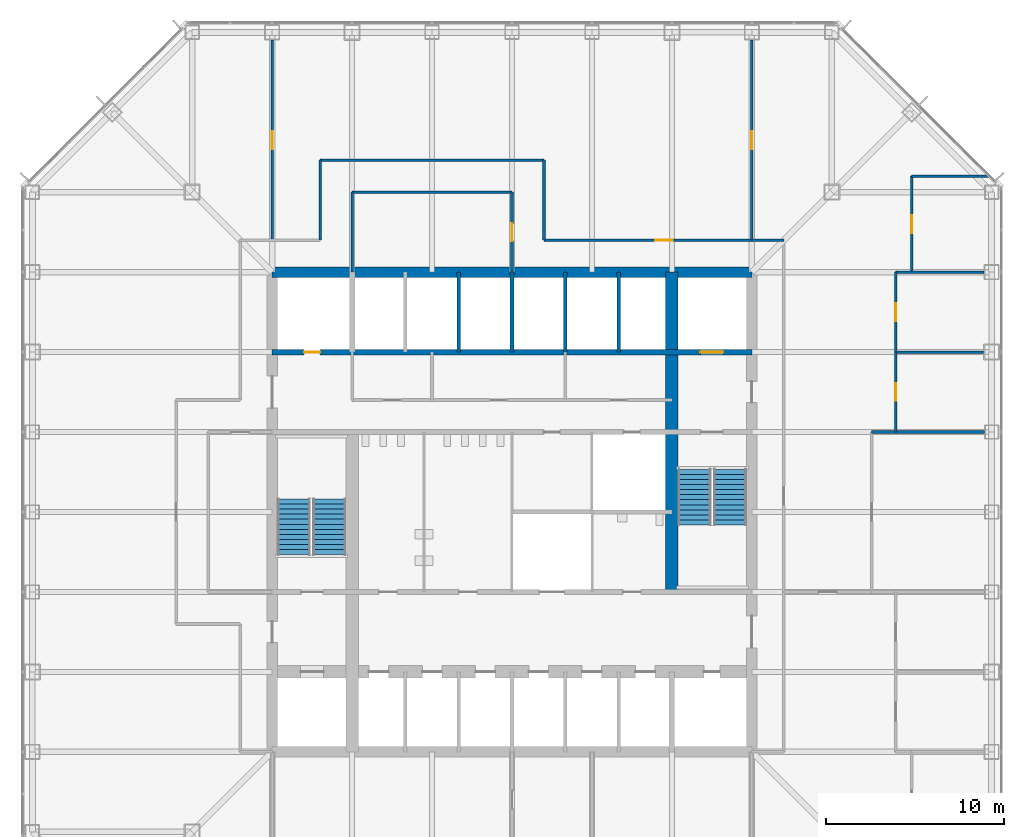
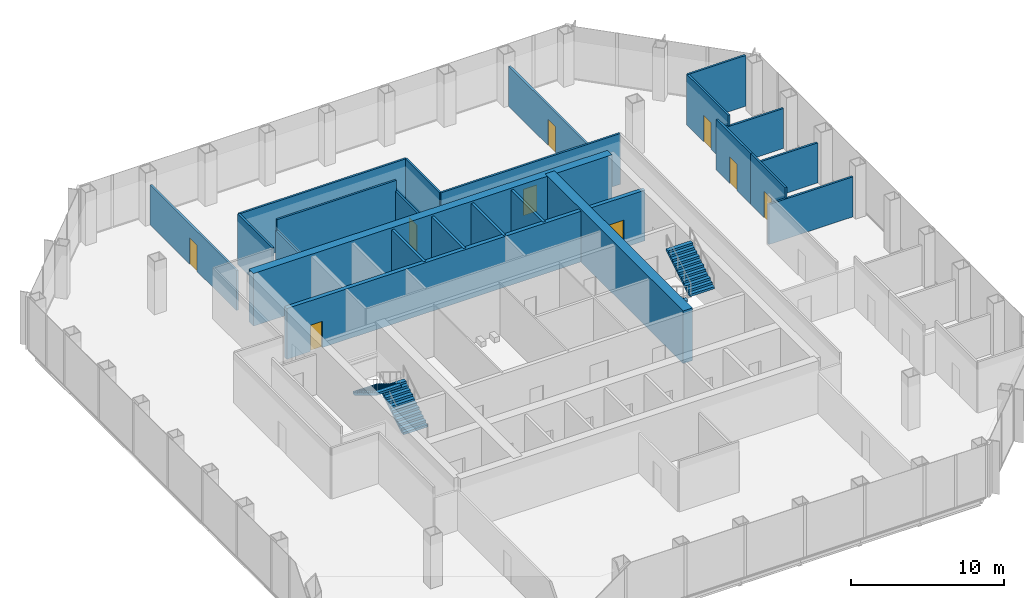
# One storey, part 10 of 12: 23 walls, 9 doors, 4 stair flights, 9 openings, 2 elements without a shape of their own.
"""IFC4 building model written with IfcOpenShell, lengths in metres."""

import ifcopenshell
import ifcopenshell.guid

model = None  # the IFC model being written
_history = None  # IfcOwnerHistory: only IFC2X3 demands one
_inside = {}  # id of a spatial element -> (the spatial element, [elements in it])
_under = {}  # id of a project, library or spatial element -> (it, [spatial elements below it])
_declared = {}  # id of a project -> (the project, [libraries it declares])
_typed = {}  # id of a type object -> (the type object, [elements of that type])
_made_of = {}  # id of a material, layer set ... -> (it, [elements and type objects made of it])


def new_model(schema):
    """Start an empty IFC model of exactly this schema.

    Asked for "IFC4X3", IfcOpenShell would pick the latest addendum, in which some entities
    have other attributes; the version numbers below select the first issue.
    IFC2X3 requires an IfcOwnerHistory on every rooted entity: one is made here for all.
    """
    global model, _history
    if schema == "IFC4X3":
        model = ifcopenshell.file(schema_version=(4, 3, 0, 0))
    else:
        model = ifcopenshell.file(schema=schema)
    _inside.clear()
    _under.clear()
    _declared.clear()
    _typed.clear()
    _made_of.clear()
    _history = None
    if model.schema == "IFC2X3":
        org = make("IfcOrganization", Name="unknown")
        user = make(
            "IfcPersonAndOrganization",
            ThePerson=make("IfcPerson", FamilyName="unknown"),
            TheOrganization=org,
        )
        app = make(
            "IfcApplication",
            ApplicationDeveloper=org,
            Version="unknown",
            ApplicationFullName="unknown",
            ApplicationIdentifier="unknown",
        )
        _history = make(
            "IfcOwnerHistory",
            OwningUser=user,
            OwningApplication=app,
            ChangeAction="ADDED",
            CreationDate=0,
        )
    return model


def make(cls, **values):
    """One entity of the class cls with the attributes given. An attribute that is None is left unset."""
    return model.create_entity(
        cls, **{name: value for name, value in values.items() if value is not None}
    )


def rooted(cls, **values):
    """An entity with a GlobalId (a new one), such as an element, a storey or a relation."""
    return make(cls, GlobalId=ifcopenshell.guid.new(), OwnerHistory=_history, **values)


def si_unit(unit_type, name, prefix=None):
    """IfcSIUnit, for example si_unit("LENGTHUNIT", "METRE", prefix="MILLI")."""
    return make("IfcSIUnit", UnitType=unit_type, Prefix=prefix, Name=name)


def assignment(units):
    """IfcUnitAssignment: the units of a project."""
    return None if units is None else make("IfcUnitAssignment", Units=units)


def point(xyz):
    """IfcCartesianPoint."""
    return None if xyz is None else make("IfcCartesianPoint", Coordinates=xyz)


def direction(xyz):
    """IfcDirection."""
    return None if xyz is None else make("IfcDirection", DirectionRatios=xyz)


def frame(location, z_axis=None, x_axis=None):
    """IfcAxis2Placement3D, a coordinate frame: its origin and axes. An axis left out is left unset."""
    return make(
        "IfcAxis2Placement3D",
        Location=point(location),
        Axis=direction(z_axis),
        RefDirection=direction(x_axis),
    )


def frame_2d(location, x_axis=None):
    """IfcAxis2Placement2D, a coordinate frame in the plane: its origin and x axis."""
    return make(
        "IfcAxis2Placement2D", Location=point(location), RefDirection=direction(x_axis)
    )


def origin():
    """The frame at (0, 0, 0) with its axes left unset."""
    return frame((0.0, 0.0, 0.0))


def place(relative_to, where):
    """IfcLocalPlacement: puts the frame where relative to a parent placement (None: the world)."""
    return make(
        "IfcLocalPlacement", PlacementRelTo=relative_to, RelativePlacement=where
    )


def context(
    kind, dimensions, precision=None, world=None, true_north=None, identifier=None
):
    """IfcGeometricRepresentationContext, for example the 3D "Model" context."""
    return make(
        "IfcGeometricRepresentationContext",
        ContextIdentifier=identifier,
        ContextType=kind,
        CoordinateSpaceDimension=dimensions,
        Precision=precision,
        WorldCoordinateSystem=world,
        TrueNorth=true_north,
    )


def subcontext(parent, identifier, kind, view, scale=None):
    """IfcGeometricRepresentationSubContext, for example "Body" below "Model"."""
    return make(
        "IfcGeometricRepresentationSubContext",
        ContextIdentifier=identifier,
        ContextType=kind,
        ParentContext=parent,
        TargetScale=scale,
        TargetView=view,
    )


def project(units=None, contexts=None):
    """IfcProject with its units and contexts."""
    return rooted(
        "IfcProject",
        Name="project",
        RepresentationContexts=contexts,
        UnitsInContext=assignment(units),
    )


def spatial(cls, under=None, at=None, **own):
    """A site, building, storey or space (cls), placed at a placement, below another one or the project."""
    s = rooted(cls, ObjectPlacement=at, **own)
    if under is not None:
        _under.setdefault(under.id(), (under, []))[1].append(s)
    return s


def polyline(points):
    """IfcPolyline through the points."""
    return make("IfcPolyline", Points=[point(p) for p in points])


def profile(cls, at=None, kind="AREA", **sizes):
    """A parametric profile (cls). Its sizes go by their IFC names, for example OverallWidth=200.0."""
    return make(cls, ProfileType=kind, Position=at, **sizes)


def rectangle(**sizes):
    """IfcRectangleProfileDef."""
    return profile("IfcRectangleProfileDef", **sizes)


def outline(outer, holes=None, kind="AREA"):
    """IfcArbitraryClosedProfileDef: a profile drawn as a closed curve; with holes, ...WithVoids."""
    if holes is None:
        return make("IfcArbitraryClosedProfileDef", ProfileType=kind, OuterCurve=outer)
    return make(
        "IfcArbitraryProfileDefWithVoids",
        ProfileType=kind,
        OuterCurve=outer,
        InnerCurves=holes,
    )


def extrude(swept, where, along, depth):
    """IfcExtrudedAreaSolid: the profile swept, set in the frame where, extruded along a direction by depth."""
    return make(
        "IfcExtrudedAreaSolid",
        SweptArea=swept,
        Position=where,
        ExtrudedDirection=direction(along),
        Depth=depth,
    )


def shape(context_of_items, identifier, shape_type, items):
    """IfcShapeRepresentation: the items that make up one representation, for example the "Body"."""
    return make(
        "IfcShapeRepresentation",
        ContextOfItems=context_of_items,
        RepresentationIdentifier=identifier,
        RepresentationType=shape_type,
        Items=items,
    )


def material(Name=None, Category=None):
    """IfcMaterial."""
    return make("IfcMaterial", Name=Name, Category=Category)


def layer(
    of_material, thickness, ventilated=None, Name=None, Category=None, Priority=None
):
    """IfcMaterialLayer: one layer of a wall or slab, of a material (None: an air gap)."""
    return make(
        "IfcMaterialLayer",
        Material=of_material,
        LayerThickness=thickness,
        IsVentilated=ventilated,
        Name=Name,
        Category=Category,
        Priority=Priority,
    )


def layer_set(layers, Name=None):
    """IfcMaterialLayerSet."""
    return make("IfcMaterialLayerSet", MaterialLayers=layers, LayerSetName=Name)


def made_of(thing, what):
    """Note that an element or type object is made of a material, layer set ...; save() writes the relation."""
    if what is not None:
        _made_of.setdefault(what.id(), (what, []))[1].append(thing)
    return thing


def type_object(cls, material=None, **own):
    """A type object (cls), such as IfcWallType, which elements share."""
    return made_of(rooted(cls, **own), material)


def element(
    cls,
    number,
    at=None,
    inside=None,
    cuts=None,
    type_object=None,
    material=None,
    context=None,
    identifier="Body",
    shape_type=None,
    held_by="IfcProductDefinitionShape",
    body=None,
    shapes=None,
    **own,
):
    """One element of the class cls, such as IfcWall. Its Tag is "e" and its number.

    at: its placement. inside: the storey or other place that contains it. cuts: it is an
    opening in that element (IfcRelVoidsElement). A single representation is given by context,
    identifier, shape_type and body (its items); several are given by shapes. held_by: the class
    of the entity that holds the representations. save() writes the other relations.
    """
    e = rooted(cls, Tag="e%d" % number, ObjectPlacement=at, **own)
    if body is not None:
        shapes = [shape(context, identifier, shape_type, body)]
    if shapes is not None:
        e.Representation = make(held_by, Representations=shapes)
    if inside is not None:
        _inside.setdefault(inside.id(), (inside, []))[1].append(e)
    if cuts is not None:
        rooted(
            "IfcRelVoidsElement", RelatingBuildingElement=cuts, RelatedOpeningElement=e
        )
    if type_object is not None:
        _typed.setdefault(type_object.id(), (type_object, []))[1].append(e)
    return made_of(e, material)


def fill(opening, filler):
    """IfcRelFillsElement: the door or window that sits in an opening."""
    return rooted(
        "IfcRelFillsElement",
        RelatingOpeningElement=opening,
        RelatedBuildingElement=filler,
    )


def aggregate(whole, parts):
    """IfcRelAggregates: a whole, such as a stair, and the parts it consists of."""
    return rooted("IfcRelAggregates", RelatingObject=whole, RelatedObjects=parts)


def save(model, path):
    """Write the relations noted so far, then the file.

    IfcRelAggregates (storeys below a building ...), IfcRelContainedInSpatialStructure (elements
    in a storey), IfcRelDefinesByType, IfcRelAssociatesMaterial and IfcRelDeclares: one each for
    every whole, place, type object, material and project.
    """
    for whole, parts in _under.values():
        aggregate(whole, parts)
    for where, things in _inside.values():
        rooted(
            "IfcRelContainedInSpatialStructure",
            RelatedElements=things,
            RelatingStructure=where,
        )
    for kind, things in _typed.values():
        rooted("IfcRelDefinesByType", RelatedObjects=things, RelatingType=kind)
    for what, things in _made_of.values():
        rooted("IfcRelAssociatesMaterial", RelatedObjects=things, RelatingMaterial=what)
    for by, libraries in _declared.values():
        rooted("IfcRelDeclares", RelatingContext=by, RelatedDefinitions=libraries)
    model.write(path)


model = new_model("IFC4")

# Units and contexts
model_context = context("Model", 3, precision=1e-05, world=origin(), true_north=direction((0.0, 1.0)))
body_context = subcontext(model_context, "Body", "Model", "MODEL_VIEW")
ifc_project = project(units=[si_unit("LENGTHUNIT", "METRE"), si_unit("AREAUNIT", "SQUARE_METRE"), si_unit("VOLUMEUNIT", "CUBIC_METRE"), si_unit("PLANEANGLEUNIT", "RADIAN"), si_unit("MASSUNIT", "GRAM", prefix="KILO")], contexts=[model_context])

# Site, building, storey
site_placement = place(None, origin())
site = spatial("IfcSite", under=ifc_project, at=site_placement, CompositionType="ELEMENT")
building_placement = place(site_placement, origin())
building = spatial("IfcBuilding", under=site, at=building_placement, Name="Corais Broadcast Tower", CompositionType="ELEMENT")
storey_placement = place(building_placement, frame((0.0, 0.0, 71.0)))
storey = spatial("IfcBuildingStorey", under=building, at=storey_placement, Name="L15", CompositionType="ELEMENT", Elevation=71.0)

# Walls
ifc_material_1 = material(Name="Concrete C50/60", Category="concrete")
ifc_layer_1 = layer(ifc_material_1, 0.699951171875)
ifc_layer_set_1 = layer_set([ifc_layer_1], Name="Concrete C50/60")
wall_type_1 = type_object("IfcWallType", Name="Core spine wall 700", PredefinedType="SHEAR", material=ifc_layer_set_1)
wall_1_placement = place(storey_placement, frame((36.0, 22.5, 0.0), z_axis=(0.0, 0.0, 1.0), x_axis=(0.0, 1.0, 0.0)))
element("IfcWall", 1, at=wall_1_placement, inside=storey, type_object=wall_type_1, Name="CR700 core wall X36B L15", PredefinedType="SHEAR", context=body_context, shape_type="SweptSolid", body=[
    extrude(rectangle(XDim=18.0, YDim=0.699951171875, at=frame_2d((9.0, 0.0))), origin(), (0.0, 0.0, 1.0), 4.199951171875),
])
ifc_material_2 = material(Name="Concrete C50/60", Category="concrete")
ifc_layer_2 = layer(ifc_material_2, 0.60009765625)
ifc_layer_set_2 = layer_set([ifc_layer_2], Name="Concrete C50/60")
wall_type_2 = type_object("IfcWallType", Name="Core wall 600", PredefinedType="SHEAR", material=ifc_layer_set_2)
wall_2_placement = place(storey_placement, frame((40.5, 40.5, 0.0), z_axis=(0.0, 0.0, 1.0), x_axis=(-1.0, 0.0, 0.0)))
element("IfcWall", 2, at=wall_2_placement, inside=storey, type_object=wall_type_2, Name="CR600 core wall N L15", PredefinedType="SHEAR", context=body_context, shape_type="SweptSolid", body=[
    extrude(rectangle(XDim=27.0, YDim=0.60009765625, at=frame_2d((13.5, 0.0))), origin(), (0.0, 0.0, 1.0), 4.199951171875),
])

# Wall, openings, doors
ifc_material_3 = material(Name="Concrete blockwork class A, grouted, four-hour", Category="masonry")
ifc_layer_3 = layer(ifc_material_3, 0.300048828125)
ifc_layer_set_3 = layer_set([ifc_layer_3], Name="Concrete blockwork class A, grouted, four-hour")
wall_type_3 = type_object("IfcWallType", Name="Emergency lift shaft wall 300", PredefinedType="SOLIDWALL", material=ifc_layer_set_3)
wall_3_placement = place(storey_placement, frame((13.5, 36.0, 0.0), z_axis=(0.0, 0.0, 1.0), x_axis=(1.0, 0.0, 0.0)))
wall_3 = element("IfcWall", 3, at=wall_3_placement, inside=storey, type_object=wall_type_3, Name="LS1 core lobby wall Y36 L15", PredefinedType="SOLIDWALL", context=body_context, shape_type="SweptSolid", body=[
    extrude(rectangle(XDim=27.0, YDim=0.300048828125, at=frame_2d((13.5, 0.0))), origin(), (0.0, 0.0, 1.0), 4.0400390625),
])
opening_1_placement = place(wall_3_placement, frame((1.800048828125, 0.0, 0.0)))
opening_1 = element("IfcOpeningElement", 4, at=opening_1_placement, cuts=wall_3, Name="Opening RD1", PredefinedType="OPENING", context=body_context, shape_type="SweptSolid", body=[
    extrude(rectangle(XDim=0.89990234375, YDim=2.10009765625, at=frame_2d((0.449951171875, 1.050048828125))), frame((0.0, 0.159912109375, 0.0), z_axis=(0.0, -1.0, 0.0), x_axis=(1.0, 0.0, 0.0)), (0.0, 0.0, 1.0), 0.320068359375),
])
opening_2_placement = place(wall_3_placement, frame((24.10009765625, 0.0, 0.0)))
opening_2 = element("IfcOpeningElement", 5, at=opening_2_placement, cuts=wall_3, Name="Opening LD2", PredefinedType="OPENING", context=body_context, shape_type="SweptSolid", body=[
    extrude(rectangle(XDim=1.300048828125, YDim=2.199951171875, at=frame_2d((0.64990234375, 1.10009765625))), frame((0.0, 0.159912109375, 0.0), z_axis=(0.0, -1.0, 0.0), x_axis=(1.0, 0.0, 0.0)), (0.0, 0.0, 1.0), 0.320068359375),
])
ifc_material_4 = material(Name="Stainless steel lift door", Category="steel")
door_type_1 = type_object("IfcDoorType", Name="Lift landing door 1300x2200", OperationType="SLIDING_TO_LEFT", PredefinedType="DOOR", material=ifc_material_4)
door_1_placement = place(opening_2_placement, origin())
door_1 = element("IfcDoor", 6, at=door_1_placement, inside=storey, type_object=door_type_1, Name="LD2 FL2 landing door L15", OperationType="SLIDING_TO_LEFT", OverallHeight=2.199951171875, OverallWidth=1.300048828125, PredefinedType="DOOR", context=body_context, shape_type="SweptSolid", body=[
    extrude(rectangle(XDim=1.300048828125, YDim=2.199951171875, at=frame_2d((0.64990234375, 1.10009765625))), frame((0.0, 0.02490234375, 0.0), z_axis=(0.0, -1.0, 0.0), x_axis=(1.0, 0.0, 0.0)), (0.0, 0.0, 1.0), 0.050048828125),
])
fill(opening_2, door_1)
ifc_material_5 = material(Name="Steel fire door", Category="steel")
door_type_2 = type_object("IfcDoorType", Name="Riser door 900x2100", OperationType="SINGLE_SWING_LEFT", PredefinedType="DOOR", material=ifc_material_5)
door_2_placement = place(opening_1_placement, origin())
door_2 = element("IfcDoor", 7, at=door_2_placement, inside=storey, type_object=door_type_2, Name="RD1 riser door L15", OperationType="SINGLE_SWING_LEFT", OverallHeight=2.10009765625, OverallWidth=0.89990234375, PredefinedType="DOOR", context=body_context, shape_type="SweptSolid", body=[
    extrude(rectangle(XDim=0.89990234375, YDim=2.10009765625, at=frame_2d((0.449951171875, 1.050048828125))), frame((0.0, 0.02490234375, 0.0), z_axis=(0.0, -1.0, 0.0), x_axis=(1.0, 0.0, 0.0)), (0.0, 0.0, 1.0), 0.050048828125),
])
fill(opening_1, door_2)

# Wall, opening, door
ifc_material_6 = material(Name="Gypsum board on steel studs", Category="steel")
ifc_layer_4 = layer(ifc_material_6, 0.14990234375)
ifc_layer_set_4 = layer_set([ifc_layer_4], Name="Gypsum board on steel studs")
wall_type_4 = type_object("IfcWallType", Name="Partition 150", PredefinedType="PARTITIONING", material=ifc_layer_set_4)
wall_4_placement = place(storey_placement, frame((42.300048828125, 42.300048828125, 0.0), z_axis=(0.0, 0.0, 1.0), x_axis=(-1.0, 0.0, 0.0)))
wall_4 = element("IfcWall", 8, at=wall_4_placement, inside=storey, type_object=wall_type_4, Name="IW3 corridor wall L15", PredefinedType="PARTITIONING", context=body_context, shape_type="SweptSolid", body=[
    extrude(rectangle(XDim=13.5, YDim=0.14990234375, at=frame_2d((6.75, 0.0))), origin(), (0.0, 0.0, 1.0), 4.0400390625),
])
opening_3_placement = place(wall_4_placement, frame((6.25, 0.0, 0.0)))
opening_3 = element("IfcOpeningElement", 9, at=opening_3_placement, cuts=wall_4, Name="Opening D1", PredefinedType="OPENING", context=body_context, shape_type="SweptSolid", body=[
    extrude(rectangle(XDim=1.0, YDim=2.10009765625, at=frame_2d((0.5, 1.050048828125))), frame((0.0, 0.0849609375, 0.0), z_axis=(0.0, -1.0, 0.0), x_axis=(1.0, 0.0, 0.0)), (0.0, 0.0, 1.0), 0.169921875),
])
ifc_material_7 = material(Name="Timber door", Category="wood")
door_type_3 = type_object("IfcDoorType", Name="Single door 1000x2100", OperationType="SINGLE_SWING_LEFT", PredefinedType="DOOR", material=ifc_material_7)
door_3_placement = place(opening_3_placement, origin())
door_3 = element("IfcDoor", 10, at=door_3_placement, inside=storey, type_object=door_type_3, Name="D1 workplace door L15", OperationType="SINGLE_SWING_LEFT", OverallHeight=2.10009765625, OverallWidth=1.0, PredefinedType="DOOR", context=body_context, shape_type="SweptSolid", body=[
    extrude(rectangle(XDim=1.0, YDim=2.10009765625, at=frame_2d((0.5, 1.050048828125))), frame((0.0, 0.02490234375, 0.0), z_axis=(0.0, -1.0, 0.0), x_axis=(1.0, 0.0, 0.0)), (0.0, 0.0, 1.0), 0.050048828125),
])
fill(opening_3, door_3)

# Walls
wall_5_placement = place(storey_placement, frame((28.800048828125, 46.800048828125, 0.0), z_axis=(0.0, 0.0, 1.0), x_axis=(-1.0, 0.0, 0.0)))
element("IfcWall", 11, at=wall_5_placement, inside=storey, type_object=wall_type_4, Name="IW3 corridor wall L15", PredefinedType="PARTITIONING", context=body_context, shape_type="SweptSolid", body=[
    extrude(rectangle(XDim=12.60009765625, YDim=0.14990234375, at=frame_2d((6.300048828125, 0.0))), origin(), (0.0, 0.0, 1.0), 4.0400390625),
])
for number, where, z_axis, x_axis, name in (
    (12, (16.199951171875, 46.800048828125, 0.0), (0.0, 0.0, 1.0), (0.0, -1.0, 0.0), "IW3 corridor wall L15"),
    (13, (28.800048828125, 42.300048828125, 0.0), (0.0, 0.0, 1.0), (0.0, 1.0, 0.0), "IW3 corridor wall L15"),
):
    element("IfcWall", number, at=place(storey_placement, frame(where, z_axis=z_axis, x_axis=x_axis)), inside=storey, type_object=wall_type_4, Name=name, PredefinedType="PARTITIONING", context=body_context, shape_type="SweptSolid", body=[
        extrude(rectangle(XDim=4.5, YDim=0.14990234375, at=frame_2d((2.25, 0.0))), origin(), (0.0, 0.0, 1.0), 4.0400390625),
    ])
wall_6_placement = place(storey_placement, frame((53.590087890625, 31.5, 0.0), z_axis=(0.0, 0.0, 1.0), x_axis=(-1.0, 0.0, 0.0)))
element("IfcWall", 14, at=wall_6_placement, inside=storey, type_object=wall_type_4, Name="IW3 partition L15", PredefinedType="PARTITIONING", context=body_context, shape_type="SweptSolid", body=[
    extrude(rectangle(XDim=6.340087890625, YDim=0.14990234375, at=frame_2d((3.169921875, 0.0))), origin(), (0.0, 0.0, 1.0), 3.18896484375),
])
wall_7_placement = place(storey_placement, frame((53.5400390625, 36.0, 0.0), z_axis=(0.0, 0.0, 1.0), x_axis=(-1.0, 0.0, 0.0)))
element("IfcWall", 15, at=wall_7_placement, inside=storey, type_object=wall_type_4, Name="IW3 partition L15", PredefinedType="PARTITIONING", context=body_context, shape_type="SweptSolid", body=[
    extrude(rectangle(XDim=4.93994140625, YDim=0.14990234375, at=frame_2d((2.469970703125, 0.0))), origin(), (0.0, 0.0, 1.0), 3.18896484375),
])

# Wall, opening, door
wall_8_placement = place(storey_placement, frame((48.60009765625, 36.0, 0.0), z_axis=(0.0, 0.0, 1.0), x_axis=(0.0, -1.0, 0.0)))
wall_8 = element("IfcWall", 16, at=wall_8_placement, inside=storey, type_object=wall_type_4, Name="IW3 partition L15", PredefinedType="PARTITIONING", context=body_context, shape_type="SweptSolid", body=[
    extrude(rectangle(XDim=4.5, YDim=0.14990234375, at=frame_2d((2.25, 0.0))), origin(), (0.0, 0.0, 1.0), 4.0400390625),
])
opening_4_placement = place(wall_8_placement, frame((1.75, 0.0, 0.0)))
opening_4 = element("IfcOpeningElement", 17, at=opening_4_placement, cuts=wall_8, Name="Opening D1", PredefinedType="OPENING", context=body_context, shape_type="SweptSolid", body=[
    extrude(rectangle(XDim=1.0, YDim=2.10009765625, at=frame_2d((0.5, 1.050048828125))), frame((0.0, 0.0849609375, 0.0), z_axis=(0.0, -1.0, 0.0), x_axis=(1.0, 0.0, 0.0)), (0.0, 0.0, 1.0), 0.169921875),
])
door_4_placement = place(opening_4_placement, origin())
door_4 = element("IfcDoor", 18, at=door_4_placement, inside=storey, type_object=door_type_3, Name="D1 Sales office door", OperationType="SINGLE_SWING_LEFT", OverallHeight=2.10009765625, OverallWidth=1.0, PredefinedType="DOOR", context=body_context, shape_type="SweptSolid", body=[
    extrude(rectangle(XDim=1.0, YDim=2.10009765625, at=frame_2d((0.5, 1.050048828125))), frame((0.0, 0.02490234375, 0.0), z_axis=(0.0, -1.0, 0.0), x_axis=(1.0, 0.0, 0.0)), (0.0, 0.0, 1.0), 0.050048828125),
])
fill(opening_4, door_4)

# Wall
wall_9_placement = place(storey_placement, frame((53.56494140625, 40.5, 0.0), z_axis=(0.0, 0.0, 1.0), x_axis=(-1.0, 0.0, 0.0)))
element("IfcWall", 19, at=wall_9_placement, inside=storey, type_object=wall_type_4, Name="IW3 partition L15", PredefinedType="PARTITIONING", context=body_context, shape_type="SweptSolid", body=[
    extrude(rectangle(XDim=4.96484375, YDim=0.14990234375, at=frame_2d((2.482421875, 0.0))), origin(), (0.0, 0.0, 1.0), 3.18896484375),
])

# Wall, opening, door
wall_10_placement = place(storey_placement, frame((48.60009765625, 40.5, 0.0), z_axis=(0.0, 0.0, 1.0), x_axis=(0.0, -1.0, 0.0)))
wall_10 = element("IfcWall", 20, at=wall_10_placement, inside=storey, type_object=wall_type_4, Name="IW3 partition L15", PredefinedType="PARTITIONING", context=body_context, shape_type="SweptSolid", body=[
    extrude(rectangle(XDim=4.5, YDim=0.14990234375, at=frame_2d((2.25, 0.0))), origin(), (0.0, 0.0, 1.0), 4.0400390625),
])
opening_5_placement = place(wall_10_placement, frame((1.75, 0.0, 0.0)))
opening_5 = element("IfcOpeningElement", 21, at=opening_5_placement, cuts=wall_10, Name="Opening D1", PredefinedType="OPENING", context=body_context, shape_type="SweptSolid", body=[
    extrude(rectangle(XDim=1.0, YDim=2.10009765625, at=frame_2d((0.5, 1.050048828125))), frame((0.0, 0.0849609375, 0.0), z_axis=(0.0, -1.0, 0.0), x_axis=(1.0, 0.0, 0.0)), (0.0, 0.0, 1.0), 0.169921875),
])
door_5_placement = place(opening_5_placement, origin())
door_5 = element("IfcDoor", 22, at=door_5_placement, inside=storey, type_object=door_type_3, Name="D1 Sales office door", OperationType="SINGLE_SWING_LEFT", OverallHeight=2.10009765625, OverallWidth=1.0, PredefinedType="DOOR", context=body_context, shape_type="SweptSolid", body=[
    extrude(rectangle(XDim=1.0, YDim=2.10009765625, at=frame_2d((0.5, 1.050048828125))), frame((0.0, 0.02490234375, 0.0), z_axis=(0.0, -1.0, 0.0), x_axis=(1.0, 0.0, 0.0)), (0.0, 0.0, 1.0), 0.050048828125),
])
fill(opening_5, door_5)

# Wall
wall_11_placement = place(storey_placement, frame((53.83544921875, 45.89990234375, 0.0), z_axis=(0.0, 0.0, 1.0), x_axis=(-1.0, 0.0, 0.0)))
element("IfcWall", 23, at=wall_11_placement, inside=storey, type_object=wall_type_4, Name="IW3 partition L15", PredefinedType="PARTITIONING", context=body_context, shape_type="SweptSolid", body=[
    extrude(rectangle(XDim=4.33544921875, YDim=0.14990234375, at=frame_2d((2.167724609375, 0.0))), origin(), (0.0, 0.0, 1.0), 4.0400390625),
])

# Wall, opening, door
wall_12_placement = place(storey_placement, frame((49.5, 45.89990234375, 0.0), z_axis=(0.0, 0.0, 1.0), x_axis=(0.0, -1.0, 0.0)))
wall_12 = element("IfcWall", 24, at=wall_12_placement, inside=storey, type_object=wall_type_4, Name="IW3 partition L15", PredefinedType="PARTITIONING", context=body_context, shape_type="SweptSolid", body=[
    extrude(rectangle(XDim=5.39990234375, YDim=0.14990234375, at=frame_2d((2.699951171875, 0.0))), origin(), (0.0, 0.0, 1.0), 4.0400390625),
])
opening_6_placement = place(wall_12_placement, frame((2.199951171875, 0.0, 0.0)))
opening_6 = element("IfcOpeningElement", 25, at=opening_6_placement, cuts=wall_12, Name="Opening D1", PredefinedType="OPENING", context=body_context, shape_type="SweptSolid", body=[
    extrude(rectangle(XDim=1.0, YDim=2.10009765625, at=frame_2d((0.5, 1.050048828125))), frame((0.0, 0.0849609375, 0.0), z_axis=(0.0, -1.0, 0.0), x_axis=(1.0, 0.0, 0.0)), (0.0, 0.0, 1.0), 0.169921875),
])
door_6_placement = place(opening_6_placement, origin())
door_6 = element("IfcDoor", 26, at=door_6_placement, inside=storey, type_object=door_type_3, Name="D1 Sales office door", OperationType="SINGLE_SWING_LEFT", OverallHeight=2.10009765625, OverallWidth=1.0, PredefinedType="DOOR", context=body_context, shape_type="SweptSolid", body=[
    extrude(rectangle(XDim=1.0, YDim=2.10009765625, at=frame_2d((0.5, 1.050048828125))), frame((0.0, 0.02490234375, 0.0), z_axis=(0.0, -1.0, 0.0), x_axis=(1.0, 0.0, 0.0)), (0.0, 0.0, 1.0), 0.050048828125),
])
fill(opening_6, door_6)

wall_13_placement = place(storey_placement, frame((27.0, 40.5, 0.0), z_axis=(0.0, 0.0, 1.0), x_axis=(0.0, 1.0, 0.0)))
wall_13 = element("IfcWall", 27, at=wall_13_placement, inside=storey, type_object=wall_type_4, Name="IW3 partition L15", PredefinedType="PARTITIONING", context=body_context, shape_type="SweptSolid", body=[
    extrude(rectangle(XDim=4.5, YDim=0.14990234375, at=frame_2d((2.25, 0.0))), origin(), (0.0, 0.0, 1.0), 3.18896484375),
])
opening_7_placement = place(wall_13_placement, frame((1.75, 0.0, 0.0)))
opening_7 = element("IfcOpeningElement", 28, at=opening_7_placement, cuts=wall_13, Name="Opening D1", PredefinedType="OPENING", context=body_context, shape_type="SweptSolid", body=[
    extrude(rectangle(XDim=1.0, YDim=2.10009765625, at=frame_2d((0.5, 1.050048828125))), frame((0.0, 0.0849609375, 0.0), z_axis=(0.0, -1.0, 0.0), x_axis=(1.0, 0.0, 0.0)), (0.0, 0.0, 1.0), 0.169921875),
])
door_7_placement = place(opening_7_placement, origin())
door_7 = element("IfcDoor", 29, at=door_7_placement, inside=storey, type_object=door_type_3, Name="D1 Client lounge door", OperationType="SINGLE_SWING_LEFT", OverallHeight=2.10009765625, OverallWidth=1.0, PredefinedType="DOOR", context=body_context, shape_type="SweptSolid", body=[
    extrude(rectangle(XDim=1.0, YDim=2.10009765625, at=frame_2d((0.5, 1.050048828125))), frame((0.0, 0.02490234375, 0.0), z_axis=(0.0, -1.0, 0.0), x_axis=(1.0, 0.0, 0.0)), (0.0, 0.0, 1.0), 0.050048828125),
])
fill(opening_7, door_7)

# Walls
wall_14_placement = place(storey_placement, frame((27.0, 45.0, 0.0), z_axis=(0.0, 0.0, 1.0), x_axis=(-1.0, 0.0, 0.0)))
element("IfcWall", 30, at=wall_14_placement, inside=storey, type_object=wall_type_4, Name="IW3 partition L15", PredefinedType="PARTITIONING", context=body_context, shape_type="SweptSolid", body=[
    extrude(rectangle(XDim=9.0, YDim=0.14990234375, at=frame_2d((4.5, 0.0))), origin(), (0.0, 0.0, 1.0), 4.0400390625),
])
wall_15_placement = place(storey_placement, frame((18.0, 45.0, 0.0), z_axis=(0.0, 0.0, 1.0), x_axis=(0.0, -1.0, 0.0)))
element("IfcWall", 31, at=wall_15_placement, inside=storey, type_object=wall_type_4, Name="IW3 partition L15", PredefinedType="PARTITIONING", context=body_context, shape_type="SweptSolid", body=[
    extrude(rectangle(XDim=4.5, YDim=0.14990234375, at=frame_2d((2.25, 0.0))), origin(), (0.0, 0.0, 1.0), 3.18896484375),
])

# Wall, opening, door
wall_16_placement = place(storey_placement, frame((40.5, 53.554931640625, 0.0), z_axis=(0.0, 0.0, 1.0), x_axis=(0.0, -1.0, 0.0)))
wall_16 = element("IfcWall", 32, at=wall_16_placement, inside=storey, type_object=wall_type_4, Name="IW3 partition L15", PredefinedType="PARTITIONING", context=body_context, shape_type="SweptSolid", body=[
    extrude(rectangle(XDim=11.2548828125, YDim=0.14990234375, at=frame_2d((5.62744140625, 0.0))), origin(), (0.0, 0.0, 1.0), 3.18896484375),
])
opening_8_placement = place(wall_16_placement, frame((5.12744140625, 0.0, 0.0)))
opening_8 = element("IfcOpeningElement", 33, at=opening_8_placement, cuts=wall_16, Name="Opening D1", PredefinedType="OPENING", context=body_context, shape_type="SweptSolid", body=[
    extrude(rectangle(XDim=1.0, YDim=2.10009765625, at=frame_2d((0.5, 1.050048828125))), frame((0.0, 0.0849609375, 0.0), z_axis=(0.0, -1.0, 0.0), x_axis=(1.0, 0.0, 0.0)), (0.0, 0.0, 1.0), 0.169921875),
])
door_8_placement = place(opening_8_placement, origin())
door_8 = element("IfcDoor", 34, at=door_8_placement, inside=storey, type_object=door_type_3, Name="D1 team room door L15", OperationType="SINGLE_SWING_LEFT", OverallHeight=2.10009765625, OverallWidth=1.0, PredefinedType="DOOR", context=body_context, shape_type="SweptSolid", body=[
    extrude(rectangle(XDim=1.0, YDim=2.10009765625, at=frame_2d((0.5, 1.050048828125))), frame((0.0, 0.02490234375, 0.0), z_axis=(0.0, -1.0, 0.0), x_axis=(1.0, 0.0, 0.0)), (0.0, 0.0, 1.0), 0.050048828125),
])
fill(opening_8, door_8)

wall_17_placement = place(storey_placement, frame((13.5, 42.300048828125, 0.0), z_axis=(0.0, 0.0, 1.0), x_axis=(0.0, 1.0, 0.0)))
wall_17 = element("IfcWall", 35, at=wall_17_placement, inside=storey, type_object=wall_type_4, Name="IW3 partition L15", PredefinedType="PARTITIONING", context=body_context, shape_type="SweptSolid", body=[
    extrude(rectangle(XDim=11.2548828125, YDim=0.14990234375, at=frame_2d((5.62744140625, 0.0))), origin(), (0.0, 0.0, 1.0), 3.18896484375),
])
opening_9_placement = place(wall_17_placement, frame((5.12744140625, 0.0, 0.0)))
opening_9 = element("IfcOpeningElement", 36, at=opening_9_placement, cuts=wall_17, Name="Opening D1", PredefinedType="OPENING", context=body_context, shape_type="SweptSolid", body=[
    extrude(rectangle(XDim=1.0, YDim=2.10009765625, at=frame_2d((0.5, 1.050048828125))), frame((0.0, 0.0849609375, 0.0), z_axis=(0.0, -1.0, 0.0), x_axis=(1.0, 0.0, 0.0)), (0.0, 0.0, 1.0), 0.169921875),
])
door_9_placement = place(opening_9_placement, origin())
door_9 = element("IfcDoor", 37, at=door_9_placement, inside=storey, type_object=door_type_3, Name="D1 team room door L15", OperationType="SINGLE_SWING_LEFT", OverallHeight=2.10009765625, OverallWidth=1.0, PredefinedType="DOOR", context=body_context, shape_type="SweptSolid", body=[
    extrude(rectangle(XDim=1.0, YDim=2.10009765625, at=frame_2d((0.5, 1.050048828125))), frame((0.0, 0.02490234375, 0.0), z_axis=(0.0, -1.0, 0.0), x_axis=(1.0, 0.0, 0.0)), (0.0, 0.0, 1.0), 0.050048828125),
])
fill(opening_9, door_9)

# Walls
ifc_material_8 = material(Name="Concrete blockwork class A, grouted, two-hour", Category="masonry")
ifc_layer_5 = layer(ifc_material_8, 0.199951171875)
ifc_layer_set_5 = layer_set([ifc_layer_5], Name="Concrete blockwork class A, grouted, two-hour")
wall_type_5 = type_object("IfcWallType", Name="Shaft wall 200", PredefinedType="PARTITIONING", material=ifc_layer_set_5)
for number, where, z_axis, x_axis, name in (
    (38, (24.0, 36.0, 0.0), (0.0, 0.0, 1.0), (0.0, 1.0, 0.0), "IW1 shaft wall L15"),
    (39, (27.0, 36.0, 0.0), (0.0, 0.0, 1.0), (0.0, 1.0, 0.0), "IW1 shaft wall L15"),
    (40, (30.0, 36.0, 0.0), (0.0, 0.0, 1.0), (0.0, 1.0, 0.0), "IW1 shaft wall L15"),
    (41, (33.0, 36.0, 0.0), (0.0, 0.0, 1.0), (0.0, 1.0, 0.0), "IW1 shaft wall L15"),
):
    element("IfcWall", number, at=place(storey_placement, frame(where, z_axis=z_axis, x_axis=x_axis)), inside=storey, type_object=wall_type_5, Name=name, PredefinedType="PARTITIONING", context=body_context, shape_type="SweptSolid", body=[
        extrude(rectangle(XDim=4.5, YDim=0.199951171875, at=frame_2d((2.25, 0.0))), origin(), (0.0, 0.0, 1.0), 4.0400390625),
    ])

# Stair, stair flights
ifc_material_9 = material(Name="Concrete C30/37", Category="concrete")
stair_type = type_object("IfcStairType", Name="Half-turn stair 4200", PredefinedType="HALF_TURN_STAIR", material=ifc_material_9)
stair_1_placement = place(storey_placement, origin())
stair_1 = element("IfcStair", 42, at=stair_1_placement, inside=storey, type_object=stair_type, Name="Stair A L15", PredefinedType="HALF_TURN_STAIR")
ifc_material_10 = material(Name="Concrete C30/37", Category="concrete")
stair_flight_type = type_object("IfcStairFlightType", Name="Stair flight 4200", PredefinedType="STRAIGHT", material=ifc_material_10)
stair_flight_1_placement = place(storey_placement, frame((16.72509765625, 24.60009765625, 0.0), z_axis=(0.0, 0.0, 1.0), x_axis=(0.0, 1.0, 0.0)))
stair_flight_1 = element("IfcStairFlight", 43, at=stair_flight_1_placement, type_object=stair_flight_type, Name="STA flight 1", NumberOfRisers=12, NumberOfTreads=11, PredefinedType="STRAIGHT", RiserHeight=0.175, TreadLength=0.285, context=body_context, shape_type="SweptSolid", body=[
    extrude(outline(polyline([(0.0, 0.0), (0.0, 0.175048828125), (0.284912109375, 0.175048828125), (0.284912109375, 0.35009765625), (0.570068359375, 0.35009765625), (0.570068359375, 0.52490234375), (0.85498046875, 0.52490234375), (0.85498046875, 0.699951171875), (1.139892578125, 0.699951171875), (1.139892578125, 0.875), (1.425048828125, 0.875), (1.425048828125, 1.050048828125), (1.7099609375, 1.050048828125), (1.7099609375, 1.22509765625), (1.9951171875, 1.22509765625), (1.9951171875, 1.39990234375), (2.280029296875, 1.39990234375), (2.280029296875, 1.574951171875), (2.56494140625, 1.574951171875), (2.56494140625, 1.75), (2.85009765625, 1.75), (2.85009765625, 1.925048828125), (3.135009765625, 1.925048828125), (3.135009765625, 2.10009765625), (3.135009765625, 1.7490234375), (0.286376953125, 0.0), (0.0, 0.0)])), frame((0.0, 0.925048828125, 0.0), z_axis=(0.0, -1.0, 0.0), x_axis=(1.0, 0.0, 0.0)), (0.0, 0.0, 1.0), 1.85009765625),
])
stair_flight_2_placement = place(storey_placement, frame((14.72509765625, 27.735107421875, 2.10009765625), z_axis=(0.0, 0.0, 1.0), x_axis=(0.0, -1.0, 0.0)))
stair_flight_2 = element("IfcStairFlight", 44, at=stair_flight_2_placement, type_object=stair_flight_type, Name="STA flight 2", NumberOfRisers=12, NumberOfTreads=11, PredefinedType="STRAIGHT", RiserHeight=0.175, TreadLength=0.285, context=body_context, shape_type="SweptSolid", body=[
    extrude(outline(polyline([(0.0, 0.0), (0.0, 0.175048828125), (0.284912109375, 0.175048828125), (0.284912109375, 0.35009765625), (0.570068359375, 0.35009765625), (0.570068359375, 0.52490234375), (0.85498046875, 0.52490234375), (0.85498046875, 0.699951171875), (1.139892578125, 0.699951171875), (1.139892578125, 0.875), (1.425048828125, 0.875), (1.425048828125, 1.050048828125), (1.7099609375, 1.050048828125), (1.7099609375, 1.22509765625), (1.9951171875, 1.22509765625), (1.9951171875, 1.39990234375), (2.280029296875, 1.39990234375), (2.280029296875, 1.574951171875), (2.56494140625, 1.574951171875), (2.56494140625, 1.75), (2.85009765625, 1.75), (2.85009765625, 1.925048828125), (3.135009765625, 1.925048828125), (3.135009765625, 2.10009765625), (3.135009765625, 1.7490234375), (0.286376953125, 0.0), (0.0, 0.0)])), frame((0.0, 0.925048828125, 0.0), z_axis=(0.0, -1.0, 0.0), x_axis=(1.0, 0.0, 0.0)), (0.0, 0.0, 1.0), 1.85009765625),
])
aggregate(stair_1, [stair_flight_1, stair_flight_2])

stair_2_placement = place(storey_placement, origin())
stair_2 = element("IfcStair", 45, at=stair_2_placement, inside=storey, type_object=stair_type, Name="Stair B L15", PredefinedType="HALF_TURN_STAIR")
stair_flight_3_placement = place(storey_placement, frame((37.27490234375, 29.39990234375, 0.0), z_axis=(0.0, 0.0, 1.0), x_axis=(0.0, -1.0, 0.0)))
stair_flight_3 = element("IfcStairFlight", 46, at=stair_flight_3_placement, type_object=stair_flight_type, Name="STB flight 1", NumberOfRisers=12, NumberOfTreads=11, PredefinedType="STRAIGHT", RiserHeight=0.175, TreadLength=0.285, context=body_context, shape_type="SweptSolid", body=[
    extrude(outline(polyline([(0.0, 0.0), (0.0, 0.175048828125), (0.284912109375, 0.175048828125), (0.284912109375, 0.35009765625), (0.570068359375, 0.35009765625), (0.570068359375, 0.52490234375), (0.85498046875, 0.52490234375), (0.85498046875, 0.699951171875), (1.139892578125, 0.699951171875), (1.139892578125, 0.875), (1.425048828125, 0.875), (1.425048828125, 1.050048828125), (1.7099609375, 1.050048828125), (1.7099609375, 1.22509765625), (1.9951171875, 1.22509765625), (1.9951171875, 1.39990234375), (2.280029296875, 1.39990234375), (2.280029296875, 1.574951171875), (2.56494140625, 1.574951171875), (2.56494140625, 1.75), (2.85009765625, 1.75), (2.85009765625, 1.925048828125), (3.135009765625, 1.925048828125), (3.135009765625, 2.10009765625), (3.135009765625, 1.7490234375), (0.286376953125, 0.0), (0.0, 0.0)])), frame((0.0, 0.925048828125, 0.0), z_axis=(0.0, -1.0, 0.0), x_axis=(1.0, 0.0, 0.0)), (0.0, 0.0, 1.0), 1.85009765625),
])
stair_flight_4_placement = place(storey_placement, frame((39.27490234375, 26.264892578125, 2.10009765625), z_axis=(0.0, 0.0, 1.0), x_axis=(0.0, 1.0, 0.0)))
stair_flight_4 = element("IfcStairFlight", 47, at=stair_flight_4_placement, type_object=stair_flight_type, Name="STB flight 2", NumberOfRisers=12, NumberOfTreads=11, PredefinedType="STRAIGHT", RiserHeight=0.175, TreadLength=0.285, context=body_context, shape_type="SweptSolid", body=[
    extrude(outline(polyline([(0.0, 0.0), (0.0, 0.175048828125), (0.284912109375, 0.175048828125), (0.284912109375, 0.35009765625), (0.570068359375, 0.35009765625), (0.570068359375, 0.52490234375), (0.85498046875, 0.52490234375), (0.85498046875, 0.699951171875), (1.139892578125, 0.699951171875), (1.139892578125, 0.875), (1.425048828125, 0.875), (1.425048828125, 1.050048828125), (1.7099609375, 1.050048828125), (1.7099609375, 1.22509765625), (1.9951171875, 1.22509765625), (1.9951171875, 1.39990234375), (2.280029296875, 1.39990234375), (2.280029296875, 1.574951171875), (2.56494140625, 1.574951171875), (2.56494140625, 1.75), (2.85009765625, 1.75), (2.85009765625, 1.925048828125), (3.135009765625, 1.925048828125), (3.135009765625, 2.10009765625), (3.135009765625, 1.7490234375), (0.286376953125, 0.0), (0.0, 0.0)])), frame((0.0, 0.925048828125, 0.0), z_axis=(0.0, -1.0, 0.0), x_axis=(1.0, 0.0, 0.0)), (0.0, 0.0, 1.0), 1.85009765625),
])
aggregate(stair_2, [stair_flight_3, stair_flight_4])

save(model, "model.ifc")
